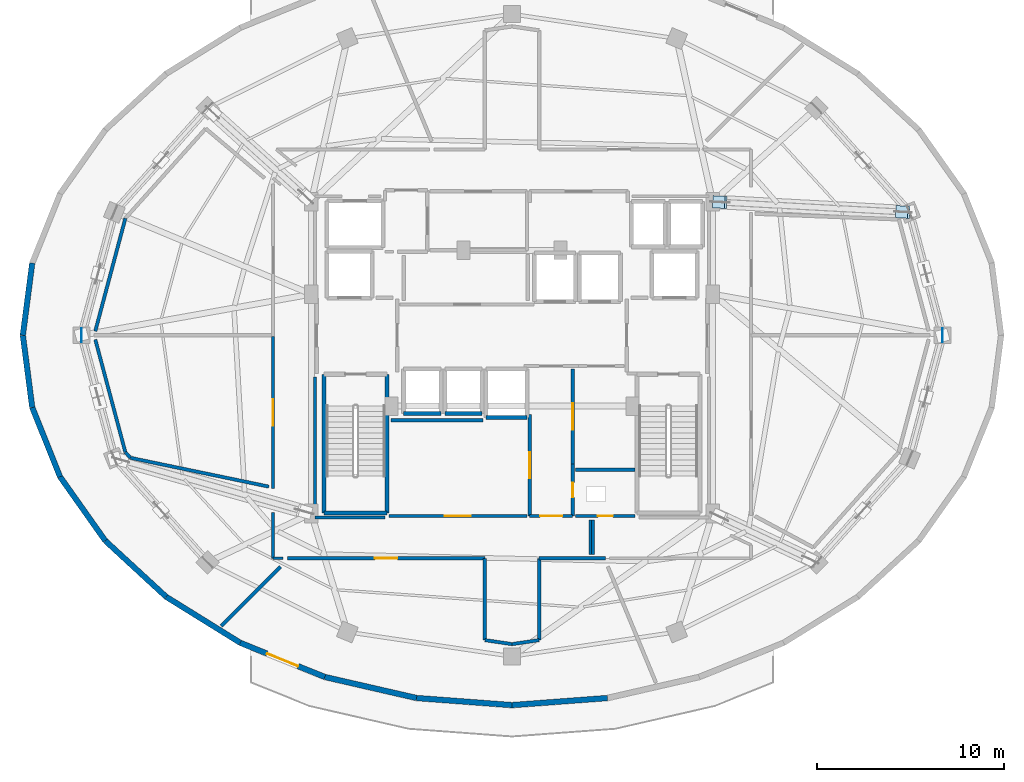
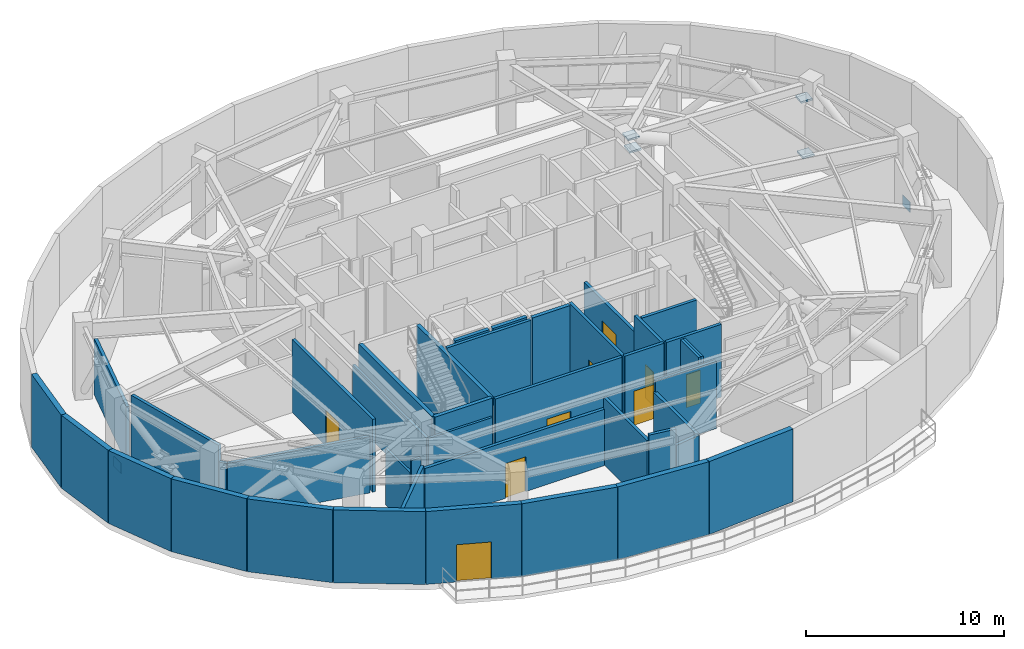
# One storey, part 6 of 10: 42 walls, 9 doors, 6 plates, 9 openings.
"""IFC4 building model written with IfcOpenShell, lengths in metres."""

from ifc_helpers import new_model, si_unit, direction, frame, frame_2d, origin, origin_2d, place, context, subcontext, project, spatial, rectangle, extrude, material, layer, layer_set, type_object, element, fill, save


model = new_model("IFC4")

# Units and contexts
model_context = context("Model", 3, precision=1e-05, world=origin(), true_north=direction((0.0, 1.0)))
body_context = subcontext(model_context, "Body", "Model", "MODEL_VIEW")
ifc_project = project(units=[si_unit("LENGTHUNIT", "METRE"), si_unit("AREAUNIT", "SQUARE_METRE"), si_unit("VOLUMEUNIT", "CUBIC_METRE"), si_unit("PLANEANGLEUNIT", "RADIAN"), si_unit("MASSUNIT", "GRAM", prefix="KILO")], contexts=[model_context])

# Site, building, storey
site_placement = place(None, origin())
site = spatial("IfcSite", under=ifc_project, at=site_placement, CompositionType="ELEMENT")
building_placement = place(site_placement, origin())
building = spatial("IfcBuilding", under=site, at=building_placement, Name="Vorneva Point Tower", CompositionType="ELEMENT")
storey_placement = place(building_placement, frame((0.0, 0.0, 224.949951171875)))
storey = spatial("IfcBuildingStorey", under=building, at=storey_placement, Name="L61", CompositionType="ELEMENT", Elevation=224.949951171875)

# Plates
ifc_material_1 = material(Name="Steel S355", Category="steel")
ifc_layer_1 = layer(ifc_material_1, 0.028076171875)
ifc_layer_set_1 = layer_set([ifc_layer_1], Name="Steel S355")
plate_type_1 = type_object("IfcPlateType", Name="PLT-CAP-INT", PredefinedType="USERDEFINED", material=ifc_layer_set_1)
for number, where, z_axis, x_axis, name in (
    (1, (49.072021484375, 33.1328125, 4.3056640625), (0.0, 0.0, 1.0), (0.99855361041, -0.053765110774, 0.0), "L61 Core Outrigger Diagonal 02A end closure plate 1"),
    (2, (58.973388671875, 32.599609375, 0.05224609375), (0.0, 0.0, 1.0), (0.99855361041, -0.053765110774, 0.0), "L61 Core Outrigger Diagonal 02A end closure plate 2"),
    (3, (49.169189453125, 33.12744140625, 3.51416015625), (0.0, 0.0, 1.0), (0.99855361041, -0.053765110774, 0.0), "L61 Core Outrigger Collector Strut 02B end closure plate 1"),
    (4, (58.876220703125, 32.604736328125, 3.51416015625), (0.0, 0.0, 1.0), (0.99855361041, -0.053765110774, 0.0), "L61 Core Outrigger Collector Strut 02B end closure plate 2"),
):
    element("IfcPlate", number, at=place(storey_placement, frame(where, z_axis=z_axis, x_axis=x_axis)), inside=storey, type_object=plate_type_1, Name=name, ObjectType="BASE PLATE", PredefinedType="USERDEFINED", context=body_context, shape_type="SweptSolid", body=[
        extrude(rectangle(XDim=0.64990234375, YDim=0.64990234375, at=origin_2d()), origin(), (0.0, 0.0, 1.0), 0.112060546875),
    ])
ifc_material_2 = material(Name="Steel S460", Category="steel")
ifc_layer_2 = layer(ifc_material_2, 0.031982421875)
ifc_layer_set_2 = layer_set([ifc_layer_2], Name="Steel S460")
plate_type_2 = type_object("IfcPlateType", Name="PLT-GUS-32", PredefinedType="USERDEFINED", material=ifc_layer_set_2)
for number, where, z_axis, x_axis, name in (
    (5, (61.050048828125, 26.0, -0.054931640625), (0.0, 0.0, 1.0), (0.0, 1.0, 0.0), "L61 Belt-Truss Column Base Gusset Plate 01"),
    (6, (14.949951171875, 26.0, -0.054931640625), (0.0, 0.0, 1.0), (0.0, -1.0, 0.0), "L61 Belt-Truss Column Base Gusset Plate 09"),
):
    element("IfcPlate", number, at=place(storey_placement, frame(where, z_axis=z_axis, x_axis=x_axis)), inside=storey, type_object=plate_type_2, Name=name, ObjectType="GUSSET PLATE", PredefinedType="USERDEFINED", context=body_context, shape_type="SweptSolid", body=[
        extrude(rectangle(XDim=0.75, YDim=0.031982421875, at=origin_2d()), origin(), (0.0, 0.0, 1.0), 0.64990234375),
    ])

# Walls
ifc_material_3 = material(Name="Precast concrete B50 (C40/50)", Category="concrete")
ifc_layer_3 = layer(ifc_material_3, 0.300048828125)
ifc_layer_set_3 = layer_set([ifc_layer_3], Name="Precast concrete B50 (C40/50)")
wall_type_1 = type_object("IfcWallType", Name="WL-EXT-300", PredefinedType="STANDARD", material=ifc_layer_set_3)
for number, where, z_axis, x_axis, name in (
    (7, (12.303466796875, 29.86474609375, 0.0), (0.0, 0.0, 1.0), (-0.129167789917, -0.991622751881, 0.0), "L61 Pale-Metal Facade Spandrel Wall 08.2"),
    (8, (11.800048828125, 26.0, 0.0), (0.0, 0.0, 1.0), (0.129167789917, -0.991622751881, 0.0), "L61 Pale-Metal Facade Spandrel Wall 09.1"),
):
    element("IfcWall", number, at=place(storey_placement, frame(where, z_axis=z_axis, x_axis=x_axis)), inside=storey, type_object=wall_type_1, Name=name, PredefinedType="STANDARD", context=body_context, shape_type="SweptSolid", body=[
        extrude(rectangle(XDim=3.8974609375, YDim=0.300048828125, at=frame_2d((1.94873046875, 0.0))), origin(), (0.0, 0.0, 1.0), 4.5),
    ])
wall_1_placement = place(storey_placement, frame((12.303466796875, 22.13525390625, 0.0), z_axis=(0.0, 0.0, 1.0), x_axis=(0.37234708598, -0.928093555393, 0.0)))
element("IfcWall", 9, at=wall_1_placement, inside=storey, type_object=wall_type_1, Name="L61 Pale-Metal Facade Spandrel Wall 09.2", PredefinedType="STANDARD", context=body_context, shape_type="SweptSolid", body=[
    extrude(rectangle(XDim=4.004150390625, YDim=0.300048828125, at=frame_2d((2.001953125, 0.0))), origin(), (0.0, 0.0, 1.0), 4.5),
])
wall_2_placement = place(storey_placement, frame((13.79443359375, 18.4189453125, 0.0), z_axis=(0.0, 0.0, 1.0), x_axis=(0.577261247247, -0.816559521668, 0.0)))
element("IfcWall", 10, at=wall_2_placement, inside=storey, type_object=wall_type_1, Name="L61 Pale-Metal Facade Spandrel Wall 10.1", PredefinedType="STANDARD", context=body_context, shape_type="SweptSolid", body=[
    extrude(rectangle(XDim=4.194091796875, YDim=0.300048828125, at=frame_2d((2.09716796875, 0.0))), origin(), (0.0, 0.0, 1.0), 4.5),
])
wall_3_placement = place(storey_placement, frame((16.215576171875, 14.994140625, 0.0), z_axis=(0.0, 0.0, 1.0), x_axis=(0.735445373611, -0.677584018727, 0.0)))
element("IfcWall", 11, at=wall_3_placement, inside=storey, type_object=wall_type_1, Name="L61 Pale-Metal Facade Spandrel Wall 10.2", PredefinedType="STANDARD", context=body_context, shape_type="SweptSolid", body=[
    extrude(rectangle(XDim=4.430419921875, YDim=0.300048828125, at=frame_2d((2.21533203125, 0.0))), origin(), (0.0, 0.0, 1.0), 4.5),
])
wall_4_placement = place(storey_placement, frame((19.473876953125, 11.9921875, 0.0), z_axis=(0.0, 0.0, 1.0), x_axis=(0.849702323036, -0.527262707032, 0.0)))
element("IfcWall", 12, at=wall_4_placement, inside=storey, type_object=wall_type_1, Name="L61 Pale-Metal Facade Spandrel Wall 11.1", PredefinedType="STANDARD", context=body_context, shape_type="SweptSolid", body=[
    extrude(rectangle(XDim=4.67236328125, YDim=0.300048828125, at=frame_2d((2.336181640625, 0.0))), origin(), (0.0, 0.0, 1.0), 4.5),
])

# Wall, opening, door
wall_5_placement = place(storey_placement, frame((23.444091796875, 9.528564453125, 0.0), z_axis=(0.0, 0.0, 1.0), x_axis=(0.927147375511, -0.374696869594, 0.0)))
wall_5 = element("IfcWall", 13, at=wall_5_placement, inside=storey, type_object=wall_type_1, Name="L61 Pale-Metal Facade Spandrel Wall 11.2", PredefinedType="STANDARD", context=body_context, shape_type="SweptSolid", body=[
    extrude(rectangle(XDim=4.885498046875, YDim=0.300048828125, at=frame_2d((2.44287109375, 0.0))), origin(), (0.0, 0.0, 1.0), 4.5),
])
opening_1_placement = place(wall_5_placement, frame((1.542724609375, 0.0, 0.0)))
opening_1 = element("IfcOpeningElement", 14, at=opening_1_placement, cuts=wall_5, Name="Opening BD-02", PredefinedType="OPENING", context=body_context, shape_type="SweptSolid", body=[
    extrude(rectangle(XDim=1.800048828125, YDim=2.300048828125, at=frame_2d((0.89990234375, 1.14990234375))), frame((0.0, 0.1650390625, 0.0), z_axis=(0.0, -1.0, 0.0), x_axis=(1.0, 0.0, 0.0)), (0.0, 0.0, 1.0), 0.329833984375),
])
ifc_material_4 = material(Name="Pale anodised aluminium", Category="aluminium")
door_type_1 = type_object("IfcDoorType", Name="DR-TER-1800", OperationType="DOUBLE_SWING_LEFT", PredefinedType="DOOR", material=ifc_material_4)
door_1_placement = place(opening_1_placement, origin())
door_1 = element("IfcDoor", 15, at=door_1_placement, inside=storey, type_object=door_type_1, Name="L61 Balcony Terrace Access Door 11", OperationType="DOUBLE_SWING_LEFT", OverallHeight=2.300048828125, OverallWidth=1.800048828125, PredefinedType="DOOR", context=body_context, shape_type="SweptSolid", body=[
    extrude(rectangle(XDim=1.800048828125, YDim=2.300048828125, at=frame_2d((0.89990234375, 1.14990234375))), frame((0.0, 0.02490234375, 0.0), z_axis=(0.0, -1.0, 0.0), x_axis=(1.0, 0.0, 0.0)), (0.0, 0.0, 1.0), 0.050048828125),
])
fill(opening_1, door_1)

# Walls
wall_6_placement = place(storey_placement, frame((27.9736328125, 7.697998046875, 0.0), z_axis=(0.0, 0.0, 1.0), x_axis=(0.974685739337, -0.223579313742, 0.0)))
element("IfcWall", 16, at=wall_6_placement, inside=storey, type_object=wall_type_1, Name="L61 Pale-Metal Facade Spandrel Wall 12.1", PredefinedType="STANDARD", context=body_context, shape_type="SweptSolid", body=[
    extrude(rectangle(XDim=5.042724609375, YDim=0.300048828125, at=frame_2d((2.521484375, 0.0))), origin(), (0.0, 0.0, 1.0), 4.5),
])
for number, where, z_axis, x_axis, name in (
    (17, (32.888671875, 6.570556640625, 0.0), (0.0, 0.0, 1.0), (0.997238956469, -0.074259435094, 0.0), "L61 Pale-Metal Facade Spandrel Wall 12.2"),
    (18, (38.0, 6.18994140625, 0.0), (0.0, 0.0, 1.0), (0.997238956469, 0.074259435094, 0.0), "L61 Pale-Metal Facade Spandrel Wall 13.1"),
):
    element("IfcWall", number, at=place(storey_placement, frame(where, z_axis=z_axis, x_axis=x_axis)), inside=storey, type_object=wall_type_1, Name=name, PredefinedType="STANDARD", context=body_context, shape_type="SweptSolid", body=[
        extrude(rectangle(XDim=5.12548828125, YDim=0.300048828125, at=frame_2d((2.562744140625, 0.0))), origin(), (0.0, 0.0, 1.0), 4.5),
    ])
ifc_material_5 = material(Name="Fire-rated acoustic gypsum stud partition", Category="gypsum")
ifc_layer_4 = layer(ifc_material_5, 0.139892578125)
ifc_layer_set_4 = layer_set([ifc_layer_4], Name="Fire-rated acoustic gypsum stud partition")
wall_type_2 = type_object("IfcWallType", Name="WL-PART-140", PredefinedType="PARTITIONING", material=ifc_layer_set_4)
wall_7_placement = place(storey_placement, frame((25.199951171875, 16.511962890625, 0.0), z_axis=(0.0, 0.0, 1.0), x_axis=(0.0, -1.0, 0.0)))
element("IfcWall", 19, at=wall_7_placement, inside=storey, type_object=wall_type_2, Name="L61 Interior Closure Partition 058", PredefinedType="PARTITIONING", context=body_context, shape_type="SweptSolid", body=[
    extrude(rectangle(XDim=2.4619140625, YDim=0.139892578125, at=frame_2d((1.23095703125, 0.0))), origin(), (0.0, 0.0, 1.0), 3.48193359375),
])
wall_8_placement = place(storey_placement, frame((25.199951171875, 14.050048828125, 0.0), z_axis=(0.0, 0.0, 1.0), x_axis=(1.0, 0.0, 0.0)))
element("IfcWall", 20, at=wall_8_placement, inside=storey, type_object=wall_type_2, Name="L61 Interior Closure Partition 059", PredefinedType="PARTITIONING", context=body_context, shape_type="SweptSolid", body=[
    extrude(rectangle(XDim=0.545166015625, YDim=0.139892578125, at=frame_2d((0.2724609375, 0.0))), origin(), (0.0, 0.0, 1.0), 4.23193359375),
])
wall_9_placement = place(storey_placement, frame((27.449951171875, 23.75390625, 0.0), z_axis=(0.0, 0.0, 1.0), x_axis=(0.0, -1.0, 0.0)))
element("IfcWall", 21, at=wall_9_placement, inside=storey, type_object=wall_type_2, Name="L61 Interior Closure Partition 063", PredefinedType="PARTITIONING", context=body_context, shape_type="SweptSolid", body=[
    extrude(rectangle(XDim=7.513916015625, YDim=0.139892578125, at=frame_2d((3.7568359375, 0.0))), origin(), (0.0, 0.0, 1.0), 3.48193359375),
])
wall_10_placement = place(storey_placement, frame((27.449951171875, 16.239990234375, 0.0), z_axis=(0.0, 0.0, 1.0), x_axis=(1.0, 0.0, 0.0)))
element("IfcWall", 22, at=wall_10_placement, inside=storey, type_object=wall_type_2, Name="L61 Interior Closure Partition 064", PredefinedType="PARTITIONING", context=body_context, shape_type="SweptSolid", body=[
    extrude(rectangle(XDim=3.7451171875, YDim=0.139892578125, at=frame_2d((1.87255859375, 0.0))), origin(), (0.0, 0.0, 1.0), 3.48193359375),
])
for number, where, z_axis, x_axis, name in (
    (23, (42.199951171875, 16.10009765625, 0.0), (0.0, 0.0, 1.0), (0.0, -1.0, 0.0), "L61 Interior Closure Partition 065"),
    (24, (42.340087890625, 14.27001953125, 0.0), (0.0, 0.0, 1.0), (0.0, 1.0, 0.0), "L61 Interior Closure Partition 066"),
):
    element("IfcWall", number, at=place(storey_placement, frame(where, z_axis=z_axis, x_axis=x_axis)), inside=storey, type_object=wall_type_2, Name=name, PredefinedType="PARTITIONING", context=body_context, shape_type="SweptSolid", body=[
        extrude(rectangle(XDim=1.830078125, YDim=0.139892578125, at=frame_2d((0.9150390625, 0.0))), origin(), (0.0, 0.0, 1.0), 4.5),
    ])

# Wall, opening, door
ifc_material_6 = material(Name="Autoclaved aerated concrete blockwork", Category="masonry")
ifc_layer_5 = layer(ifc_material_6, 0.179931640625)
ifc_layer_set_5 = layer_set([ifc_layer_5], Name="Autoclaved aerated concrete blockwork")
wall_type_3 = type_object("IfcWallType", Name="WL-PART-180", PredefinedType="PARTITIONING", material=ifc_layer_set_5)
wall_11_placement = place(storey_placement, frame((38.949951171875, 21.7548828125, 0.0), z_axis=(0.0, 0.0, 1.0), x_axis=(0.0, -1.0, 0.0)))
wall_11 = element("IfcWall", 25, at=wall_11_placement, inside=storey, type_object=wall_type_3, Name="L61 Interior Partition 013", PredefinedType="PARTITIONING", context=body_context, shape_type="SweptSolid", body=[
    extrude(rectangle(XDim=5.434814453125, YDim=0.179931640625, at=frame_2d((2.71728515625, 0.0))), origin(), (0.0, 0.0, 1.0), 4.5),
])
opening_2_placement = place(wall_11_placement, frame((2.017578125, 0.0, 0.0)))
opening_2 = element("IfcOpeningElement", 26, at=opening_2_placement, cuts=wall_11, Name="Opening FD-03", PredefinedType="OPENING", context=body_context, shape_type="SweptSolid", body=[
    extrude(rectangle(XDim=1.39990234375, YDim=2.199951171875, at=frame_2d((0.699951171875, 1.10009765625))), frame((0.0, 0.10498046875, 0.0), z_axis=(0.0, -1.0, 0.0), x_axis=(1.0, 0.0, 0.0)), (0.0, 0.0, 1.0), 0.209716796875),
])
ifc_material_7 = material(Name="Fire-rated powder-coated steel", Category="steel")
door_type_2 = type_object("IfcDoorType", Name="DR-PLT-1400", OperationType="DOUBLE_SWING_LEFT", PredefinedType="DOOR", material=ifc_material_7)
door_2_placement = place(opening_2_placement, origin())
door_2 = element("IfcDoor", 27, at=door_2_placement, inside=storey, type_object=door_type_2, Name="L61 Door Core Service Lobby / Core Hydraulic Pump Plant L61", OperationType="DOUBLE_SWING_LEFT", OverallHeight=2.199951171875, OverallWidth=1.39990234375, PredefinedType="DOOR", context=body_context, shape_type="SweptSolid", body=[
    extrude(rectangle(XDim=1.39990234375, YDim=2.199951171875, at=frame_2d((0.699951171875, 1.10009765625))), frame((0.0, 0.02490234375, 0.0), z_axis=(0.0, -1.0, 0.0), x_axis=(1.0, 0.0, 0.0)), (0.0, 0.0, 1.0), 0.050048828125),
])
fill(opening_2, door_2)

wall_12_placement = place(storey_placement, frame((41.25, 16.320068359375, 0.0), z_axis=(0.0, 0.0, 1.0), x_axis=(0.0, 1.0, 0.0)))
wall_12 = element("IfcWall", 28, at=wall_12_placement, inside=storey, type_object=wall_type_3, Name="L61 Interior Partition 014", PredefinedType="PARTITIONING", context=body_context, shape_type="SweptSolid", body=[
    extrude(rectangle(XDim=2.784912109375, YDim=0.179931640625, at=frame_2d((1.392578125, 0.0))), origin(), (0.0, 0.0, 1.0), 4.5),
])
opening_3_placement = place(wall_12_placement, frame((0.992431640625, 0.0, 0.0)))
opening_3 = element("IfcOpeningElement", 29, at=opening_3_placement, cuts=wall_12, Name="Opening RD-01", PredefinedType="OPENING", context=body_context, shape_type="SweptSolid", body=[
    extrude(rectangle(XDim=0.800048828125, YDim=2.050048828125, at=frame_2d((0.39990234375, 1.02490234375))), frame((0.0, 0.10498046875, 0.0), z_axis=(0.0, -1.0, 0.0), x_axis=(1.0, 0.0, 0.0)), (0.0, 0.0, 1.0), 0.209716796875),
])
door_type_3 = type_object("IfcDoorType", Name="DR-RSR-800", OperationType="SINGLE_SWING_LEFT", PredefinedType="DOOR", material=ifc_material_7)
door_3_placement = place(opening_3_placement, origin())
door_3 = element("IfcDoor", 30, at=door_3_placement, inside=storey, type_object=door_type_3, Name="L61 Door Core Service Lobby / Electrical Riser", OperationType="SINGLE_SWING_LEFT", OverallHeight=2.050048828125, OverallWidth=0.800048828125, PredefinedType="DOOR", context=body_context, shape_type="SweptSolid", body=[
    extrude(rectangle(XDim=0.800048828125, YDim=2.050048828125, at=frame_2d((0.39990234375, 1.02490234375))), frame((0.0, 0.02490234375, 0.0), z_axis=(0.0, -1.0, 0.0), x_axis=(1.0, 0.0, 0.0)), (0.0, 0.0, 1.0), 0.050048828125),
])
fill(opening_3, door_3)

wall_13_placement = place(storey_placement, frame((41.25, 19.10498046875, 0.0), z_axis=(0.0, 0.0, 1.0), x_axis=(0.0, 1.0, 0.0)))
wall_13 = element("IfcWall", 31, at=wall_13_placement, inside=storey, type_object=wall_type_3, Name="L61 Interior Partition 015", PredefinedType="PARTITIONING", context=body_context, shape_type="SweptSolid", body=[
    extrude(rectangle(XDim=5.094970703125, YDim=0.179931640625, at=frame_2d((2.54736328125, 0.0))), origin(), (0.0, 0.0, 1.0), 3.48193359375),
])
opening_4_placement = place(wall_13_placement, frame((1.847412109375, 0.0, 0.0)))
opening_4 = element("IfcOpeningElement", 32, at=opening_4_placement, cuts=wall_13, Name="Opening FD-03", PredefinedType="OPENING", context=body_context, shape_type="SweptSolid", body=[
    extrude(rectangle(XDim=1.39990234375, YDim=2.199951171875, at=frame_2d((0.699951171875, 1.10009765625))), frame((0.0, 0.10498046875, 0.0), z_axis=(0.0, -1.0, 0.0), x_axis=(1.0, 0.0, 0.0)), (0.0, 0.0, 1.0), 0.209716796875),
])
door_4_placement = place(opening_4_placement, origin())
door_4 = element("IfcDoor", 33, at=door_4_placement, inside=storey, type_object=door_type_2, Name="L61 Door Core Service Lobby / Core BMS Control Plant L61", OperationType="DOUBLE_SWING_LEFT", OverallHeight=2.199951171875, OverallWidth=1.39990234375, PredefinedType="DOOR", context=body_context, shape_type="SweptSolid", body=[
    extrude(rectangle(XDim=1.39990234375, YDim=2.199951171875, at=frame_2d((0.699951171875, 1.10009765625))), frame((0.0, 0.02490234375, 0.0), z_axis=(0.0, -1.0, 0.0), x_axis=(1.0, 0.0, 0.0)), (0.0, 0.0, 1.0), 0.050048828125),
])
fill(opening_4, door_4)

wall_14_placement = place(storey_placement, frame((38.949951171875, 16.320068359375, 0.0), z_axis=(0.0, 0.0, 1.0), x_axis=(1.0, 0.0, 0.0)))
wall_14 = element("IfcWall", 34, at=wall_14_placement, inside=storey, type_object=wall_type_3, Name="L61 Interior Partition 016", PredefinedType="PARTITIONING", context=body_context, shape_type="SweptSolid", body=[
    extrude(rectangle(XDim=2.300048828125, YDim=0.179931640625, at=frame_2d((1.14990234375, 0.0))), origin(), (0.0, 0.0, 1.0), 4.5),
])
opening_5_placement = place(wall_14_placement, frame((0.550048828125, 0.0, 0.0)))
opening_5 = element("IfcOpeningElement", 35, at=opening_5_placement, cuts=wall_14, Name="Opening FD-02", PredefinedType="OPENING", context=body_context, shape_type="SweptSolid", body=[
    extrude(rectangle(XDim=1.199951171875, YDim=2.14990234375, at=frame_2d((0.60009765625, 1.074951171875))), frame((0.0, 0.10498046875, 0.0), z_axis=(0.0, -1.0, 0.0), x_axis=(1.0, 0.0, 0.0)), (0.0, 0.0, 1.0), 0.209716796875),
])
door_type_4 = type_object("IfcDoorType", Name="DR-FFL-1200", OperationType="NOTDEFINED", PredefinedType="DOOR", material=ifc_material_7)
door_5_placement = place(opening_5_placement, origin())
door_5 = element("IfcDoor", 36, at=door_5_placement, inside=storey, type_object=door_type_4, Name="L61 Door Core Service Lobby / L61 Refuge and Lift Lobby", OperationType="SINGLE_SWING_LEFT", OverallHeight=2.14990234375, OverallWidth=1.199951171875, PredefinedType="DOOR", context=body_context, shape_type="SweptSolid", body=[
    extrude(rectangle(XDim=1.199951171875, YDim=2.14990234375, at=frame_2d((0.60009765625, 1.074951171875))), frame((0.0, 0.02490234375, 0.0), z_axis=(0.0, -1.0, 0.0), x_axis=(1.0, 0.0, 0.0)), (0.0, 0.0, 1.0), 0.050048828125),
])
fill(opening_5, door_5)

wall_15_placement = place(storey_placement, frame((31.39990234375, 16.320068359375, 0.0), z_axis=(0.0, 0.0, 1.0), x_axis=(1.0, 0.0, 0.0)))
wall_15 = element("IfcWall", 37, at=wall_15_placement, inside=storey, type_object=wall_type_3, Name="L61 Interior Partition 023", PredefinedType="PARTITIONING", context=body_context, shape_type="SweptSolid", body=[
    extrude(rectangle(XDim=7.400146484375, YDim=0.179931640625, at=frame_2d((3.7001953125, 0.0))), origin(), (0.0, 0.0, 1.0), 4.5),
])
opening_6_placement = place(wall_15_placement, frame((3.0, 0.0, 0.0)))
opening_6 = element("IfcOpeningElement", 38, at=opening_6_placement, cuts=wall_15, Name="Opening FD-03", PredefinedType="OPENING", context=body_context, shape_type="SweptSolid", body=[
    extrude(rectangle(XDim=1.39990234375, YDim=2.199951171875, at=frame_2d((0.699951171875, 1.10009765625))), frame((0.0, 0.10498046875, 0.0), z_axis=(0.0, -1.0, 0.0), x_axis=(1.0, 0.0, 0.0)), (0.0, 0.0, 1.0), 0.209716796875),
])
door_6_placement = place(opening_6_placement, origin())
door_6 = element("IfcDoor", 39, at=door_6_placement, inside=storey, type_object=door_type_2, Name="L61 Door Core Hydraulic Pump Plant L61 / L61 Refuge and Lift Lobby", OperationType="DOUBLE_SWING_LEFT", OverallHeight=2.199951171875, OverallWidth=1.39990234375, PredefinedType="DOOR", context=body_context, shape_type="SweptSolid", body=[
    extrude(rectangle(XDim=1.39990234375, YDim=2.199951171875, at=frame_2d((0.699951171875, 1.10009765625))), frame((0.0, 0.02490234375, 0.0), z_axis=(0.0, -1.0, 0.0), x_axis=(1.0, 0.0, 0.0)), (0.0, 0.0, 1.0), 0.050048828125),
])
fill(opening_6, door_6)

# Wall
wall_16_placement = place(storey_placement, frame((44.60009765625, 18.800048828125, 0.0), z_axis=(0.0, 0.0, 1.0), x_axis=(-1.0, 0.0, 0.0)))
element("IfcWall", 40, at=wall_16_placement, inside=storey, type_object=wall_type_3, Name="L61 Interior Partition 024", PredefinedType="PARTITIONING", context=body_context, shape_type="SweptSolid", body=[
    extrude(rectangle(XDim=3.2001953125, YDim=0.179931640625, at=frame_2d((1.60009765625, 0.0))), origin(), (0.0, 0.0, 1.0), 4.5),
])

# Wall, opening, door
wall_17_placement = place(storey_placement, frame((41.39990234375, 16.320068359375, 0.0), z_axis=(0.0, 0.0, 1.0), x_axis=(1.0, 0.0, 0.0)))
wall_17 = element("IfcWall", 41, at=wall_17_placement, inside=storey, type_object=wall_type_3, Name="L61 Interior Partition 025", PredefinedType="PARTITIONING", context=body_context, shape_type="SweptSolid", body=[
    extrude(rectangle(XDim=3.2001953125, YDim=0.179931640625, at=frame_2d((1.60009765625, 0.0))), origin(), (0.0, 0.0, 1.0), 4.5),
])
opening_7_placement = place(wall_17_placement, frame((1.199951171875, 0.0, 0.0)))
opening_7 = element("IfcOpeningElement", 42, at=opening_7_placement, cuts=wall_17, Name="Opening RD-01", PredefinedType="OPENING", context=body_context, shape_type="SweptSolid", body=[
    extrude(rectangle(XDim=0.800048828125, YDim=2.050048828125, at=frame_2d((0.39990234375, 1.02490234375))), frame((0.0, 0.10498046875, 0.0), z_axis=(0.0, -1.0, 0.0), x_axis=(1.0, 0.0, 0.0)), (0.0, 0.0, 1.0), 0.209716796875),
])
door_7_placement = place(opening_7_placement, origin())
door_7 = element("IfcDoor", 43, at=door_7_placement, inside=storey, type_object=door_type_3, Name="L61 Door Electrical Riser / L61 Refuge and Lift Lobby", OperationType="SINGLE_SWING_LEFT", OverallHeight=2.050048828125, OverallWidth=0.800048828125, PredefinedType="DOOR", context=body_context, shape_type="SweptSolid", body=[
    extrude(rectangle(XDim=0.800048828125, YDim=2.050048828125, at=frame_2d((0.39990234375, 1.02490234375))), frame((0.0, 0.02490234375, 0.0), z_axis=(0.0, -1.0, 0.0), x_axis=(1.0, 0.0, 0.0)), (0.0, 0.0, 1.0), 0.050048828125),
])
fill(opening_7, door_7)

wall_18_placement = place(storey_placement, frame((25.199951171875, 25.93994140625, 0.0), z_axis=(0.0, 0.0, 1.0), x_axis=(0.0, -1.0, 0.0)))
wall_18 = element("IfcWall", 44, at=wall_18_placement, inside=storey, type_object=wall_type_3, Name="L61 Interior Partition 033", PredefinedType="PARTITIONING", context=body_context, shape_type="SweptSolid", body=[
    extrude(rectangle(XDim=8.154052734375, YDim=0.179931640625, at=frame_2d((4.0771484375, 0.0))), origin(), (0.0, 0.0, 1.0), 4.5),
])
opening_8_placement = place(wall_18_placement, frame((3.376953125, 0.0, 0.0)))
opening_8 = element("IfcOpeningElement", 45, at=opening_8_placement, cuts=wall_18, Name="Opening FD-03", PredefinedType="OPENING", context=body_context, shape_type="SweptSolid", body=[
    extrude(rectangle(XDim=1.39990234375, YDim=2.199951171875, at=frame_2d((0.699951171875, 1.10009765625))), frame((0.0, 0.10498046875, 0.0), z_axis=(0.0, -1.0, 0.0), x_axis=(1.0, 0.0, 0.0)), (0.0, 0.0, 1.0), 0.209716796875),
])
door_8_placement = place(opening_8_placement, origin())
door_8 = element("IfcDoor", 46, at=door_8_placement, inside=storey, type_object=door_type_2, Name="L61 Door L61 Refuge and Lift Lobby / Domestic Pump and Water Tank Room L61", OperationType="DOUBLE_SWING_LEFT", OverallHeight=2.199951171875, OverallWidth=1.39990234375, PredefinedType="DOOR", context=body_context, shape_type="SweptSolid", body=[
    extrude(rectangle(XDim=1.39990234375, YDim=2.199951171875, at=frame_2d((0.699951171875, 1.10009765625))), frame((0.0, 0.02490234375, 0.0), z_axis=(0.0, -1.0, 0.0), x_axis=(1.0, 0.0, 0.0)), (0.0, 0.0, 1.0), 0.050048828125),
])
fill(opening_8, door_8)

# Walls
wall_19_placement = place(storey_placement, frame((39.449951171875, 9.672119140625, 0.0), z_axis=(0.0, 0.0, 1.0), x_axis=(0.0, 1.0, 0.0)))
element("IfcWall", 47, at=wall_19_placement, inside=storey, type_object=wall_type_3, Name="L61 Interior Partition 034", PredefinedType="PARTITIONING", context=body_context, shape_type="SweptSolid", body=[
    extrude(rectangle(XDim=4.3779296875, YDim=0.179931640625, at=frame_2d((2.18896484375, 0.0))), origin(), (0.0, 0.0, 1.0), 3.48193359375),
])
wall_20_placement = place(storey_placement, frame((39.449951171875, 14.050048828125, 0.0), z_axis=(0.0, 0.0, 1.0), x_axis=(1.0, 0.0, 0.0)))
element("IfcWall", 48, at=wall_20_placement, inside=storey, type_object=wall_type_3, Name="L61 Interior Partition 035", PredefinedType="PARTITIONING", context=body_context, shape_type="SweptSolid", body=[
    extrude(rectangle(XDim=3.56494140625, YDim=0.179931640625, at=frame_2d((1.782470703125, 0.0))), origin(), (0.0, 0.0, 1.0), 4.14599609375),
])

# Wall, opening, door
wall_21_placement = place(storey_placement, frame((25.965087890625, 14.050048828125, 0.0), z_axis=(0.0, 0.0, 1.0), x_axis=(1.0, 0.0, 0.0)))
wall_21 = element("IfcWall", 49, at=wall_21_placement, inside=storey, type_object=wall_type_3, Name="L61 Interior Partition 036", PredefinedType="PARTITIONING", context=body_context, shape_type="SweptSolid", body=[
    extrude(rectangle(XDim=10.5849609375, YDim=0.179931640625, at=frame_2d((5.29248046875, 0.0))), origin(), (0.0, 0.0, 1.0), 3.48193359375),
])
opening_9_placement = place(wall_21_placement, frame((4.6923828125, 0.0, 0.0)))
opening_9 = element("IfcOpeningElement", 50, at=opening_9_placement, cuts=wall_21, Name="Opening FD-02", PredefinedType="OPENING", context=body_context, shape_type="SweptSolid", body=[
    extrude(rectangle(XDim=1.199951171875, YDim=2.14990234375, at=frame_2d((0.60009765625, 1.074951171875))), frame((0.0, 0.10498046875, 0.0), z_axis=(0.0, -1.0, 0.0), x_axis=(1.0, 0.0, 0.0)), (0.0, 0.0, 1.0), 0.209716796875),
])
door_9_placement = place(opening_9_placement, origin())
door_9 = element("IfcDoor", 51, at=door_9_placement, inside=storey, type_object=door_type_4, Name="L61 Door L61 Refuge and Lift Lobby / Refuge Area South L61", OperationType="SINGLE_SWING_LEFT", OverallHeight=2.14990234375, OverallWidth=1.199951171875, PredefinedType="DOOR", context=body_context, shape_type="SweptSolid", body=[
    extrude(rectangle(XDim=1.199951171875, YDim=2.14990234375, at=frame_2d((0.60009765625, 1.074951171875))), frame((0.0, 0.02490234375, 0.0), z_axis=(0.0, -1.0, 0.0), x_axis=(1.0, 0.0, 0.0)), (0.0, 0.0, 1.0), 0.050048828125),
])
fill(opening_9, door_9)

# Walls
wall_22_placement = place(storey_placement, frame((36.550048828125, 14.050048828125, 0.0), z_axis=(0.0, 0.0, 1.0), x_axis=(0.0, -1.0, 0.0)))
element("IfcWall", 52, at=wall_22_placement, inside=storey, type_object=wall_type_3, Name="L61 Interior Partition 037", PredefinedType="PARTITIONING", context=body_context, shape_type="SweptSolid", body=[
    extrude(rectangle(XDim=4.3779296875, YDim=0.179931640625, at=frame_2d((2.18896484375, 0.0))), origin(), (0.0, 0.0, 1.0), 4.14599609375),
])
wall_23_placement = place(storey_placement, frame((36.550048828125, 9.672119140625, 0.0), z_axis=(0.0, 0.0, 1.0), x_axis=(0.989175722593, -0.146735782388, 0.0)))
element("IfcWall", 53, at=wall_23_placement, inside=storey, type_object=wall_type_3, Name="L61 Interior Partition 038", PredefinedType="PARTITIONING", context=body_context, shape_type="SweptSolid", body=[
    extrude(rectangle(XDim=1.4658203125, YDim=0.179931640625, at=frame_2d((0.73291015625, 0.0))), origin(), (0.0, 0.0, 1.0), 4.5),
])
wall_24_placement = place(storey_placement, frame((38.0, 9.45703125, 0.0), z_axis=(0.0, 0.0, 1.0), x_axis=(0.989175722593, 0.146735782388, 0.0)))
element("IfcWall", 54, at=wall_24_placement, inside=storey, type_object=wall_type_3, Name="L61 Interior Partition 039", PredefinedType="PARTITIONING", context=body_context, shape_type="SweptSolid", body=[
    extrude(rectangle(XDim=1.4658203125, YDim=0.179931640625, at=frame_2d((0.73291015625, 0.0))), origin(), (0.0, 0.0, 1.0), 3.48193359375),
])
wall_25_placement = place(storey_placement, frame((36.43896484375, 21.449951171875, 0.0), z_axis=(0.0, 0.0, 1.0), x_axis=(-1.0, 0.0, 0.0)))
element("IfcWall", 55, at=wall_25_placement, inside=storey, type_object=wall_type_3, Name="L61 Interior Closure Partition 047", PredefinedType="PARTITIONING", context=body_context, shape_type="SweptSolid", body=[
    extrude(rectangle(XDim=4.908935546875, YDim=0.179931640625, at=frame_2d((2.45458984375, 0.0))), origin(), (0.0, 0.0, 1.0), 4.5),
])
wall_26_placement = place(storey_placement, frame((17.29296875, 32.263916015625, 0.0), z_axis=(0.0, 0.0, 1.0), x_axis=(-0.257567905164, -0.966260200065, 0.0)))
element("IfcWall", 56, at=wall_26_placement, inside=storey, type_object=wall_type_3, Name="L61 Interior Closure Partition 074", PredefinedType="PARTITIONING", context=body_context, shape_type="SweptSolid", body=[
    extrude(rectangle(XDim=6.2548828125, YDim=0.179931640625, at=frame_2d((3.12744140625, 0.0))), origin(), (0.0, 0.0, 1.0), 3.48193359375),
])
wall_27_placement = place(storey_placement, frame((15.68408203125, 25.77001953125, 0.0), z_axis=(0.0, 0.0, 1.0), x_axis=(0.257638317277, -0.966241428149, 0.0)))
element("IfcWall", 57, at=wall_27_placement, inside=storey, type_object=wall_type_3, Name="L61 Interior Closure Partition 076", PredefinedType="PARTITIONING", context=body_context, shape_type="SweptSolid", body=[
    extrude(rectangle(XDim=6.24462890625, YDim=0.179931640625, at=frame_2d((3.122314453125, 0.0))), origin(), (0.0, 0.0, 1.0), 4.5),
])
wall_28_placement = place(storey_placement, frame((17.29296875, 19.736083984375, 0.0), z_axis=(0.0, 0.0, 1.0), x_axis=(0.666530578837, -0.745477690797, 0.0)))
element("IfcWall", 58, at=wall_28_placement, inside=storey, type_object=wall_type_3, Name="L61 Interior Closure Partition 077", PredefinedType="PARTITIONING", context=body_context, shape_type="SweptSolid", body=[
    extrude(rectangle(XDim=0.405029296875, YDim=0.179931640625, at=frame_2d((0.20263671875, 0.0))), origin(), (0.0, 0.0, 1.0), 3.48193359375),
])
wall_29_placement = place(storey_placement, frame((17.56298828125, 19.43408203125, 0.0), z_axis=(0.0, 0.0, 1.0), x_axis=(0.979065059259, -0.203547561365, 0.0)))
element("IfcWall", 59, at=wall_29_placement, inside=storey, type_object=wall_type_3, Name="L61 Interior Closure Partition 078", PredefinedType="PARTITIONING", context=body_context, shape_type="SweptSolid", body=[
    extrude(rectangle(XDim=7.57568359375, YDim=0.179931640625, at=frame_2d((3.787841796875, 0.0))), origin(), (0.0, 0.0, 1.0), 3.48193359375),
])
wall_30_placement = place(storey_placement, frame((25.60009765625, 13.60009765625, 0.0), z_axis=(0.0, 0.0, 1.0), x_axis=(-0.707106781187, -0.707106781187, 0.0)))
element("IfcWall", 60, at=wall_30_placement, inside=storey, type_object=wall_type_3, Name="L61 Interior Closure Partition 079", PredefinedType="PARTITIONING", context=body_context, shape_type="SweptSolid", body=[
    extrude(rectangle(XDim=4.494384765625, YDim=0.179931640625, at=frame_2d((2.2470703125, 0.0))), origin(), (0.0, 0.0, 1.0), 4.033935546875),
])
ifc_material_8 = material(Name="Concrete B50 (C40/50)", Category="concrete")
ifc_layer_6 = layer(ifc_material_8, 0.219970703125)
ifc_layer_set_6 = layer_set([ifc_layer_6], Name="Concrete B50 (C40/50)")
wall_type_4 = type_object("IfcWallType", Name="WL-SHFT-220", PredefinedType="SOLIDWALL", material=ifc_layer_set_6)
wall_31_placement = place(storey_placement, frame((31.31005859375, 23.909912109375, 0.0), z_axis=(0.0, 0.0, 1.0), x_axis=(0.0, -1.0, 0.0)))
element("IfcWall", 61, at=wall_31_placement, inside=storey, type_object=wall_type_4, Name="L61 Exit Stair ST1 Shaft Wall right", PredefinedType="SOLIDWALL", context=body_context, shape_type="SweptSolid", body=[
    extrude(rectangle(XDim=7.419921875, YDim=0.219970703125, at=frame_2d((3.7099609375, 0.0))), origin(), (0.0, 0.0, 1.0), 4.5),
])
wall_32_placement = place(storey_placement, frame((31.31005859375, 16.489990234375, 0.0), z_axis=(0.0, 0.0, 1.0), x_axis=(-1.0, 0.0, 0.0)))
element("IfcWall", 62, at=wall_32_placement, inside=storey, type_object=wall_type_4, Name="L61 Exit Stair ST1 Shaft Wall far", PredefinedType="SOLIDWALL", context=body_context, shape_type="SweptSolid", body=[
    extrude(rectangle(XDim=3.3701171875, YDim=0.219970703125, at=frame_2d((1.68505859375, 0.0))), origin(), (0.0, 0.0, 1.0), 4.5),
])
wall_33_placement = place(storey_placement, frame((27.93994140625, 16.489990234375, 0.0), z_axis=(0.0, 0.0, 1.0), x_axis=(0.0, 1.0, 0.0)))
element("IfcWall", 63, at=wall_33_placement, inside=storey, type_object=wall_type_4, Name="L61 Exit Stair ST1 Shaft Wall left", PredefinedType="SOLIDWALL", context=body_context, shape_type="SweptSolid", body=[
    extrude(rectangle(XDim=7.419921875, YDim=0.219970703125, at=frame_2d((3.7099609375, 0.0))), origin(), (0.0, 0.0, 1.0), 4.5),
])
for number, where, z_axis, x_axis, name in (
    (64, (32.199951171875, 21.800048828125, 0.0), (0.0, 0.0, 1.0), (1.0, 0.0, 0.0), "L61 Lift PL4 Shaft Wall -Y"),
    (65, (34.39990234375, 21.800048828125, 0.0), (0.0, 0.0, 1.0), (1.0, 0.0, 0.0), "L61 Lift PL5 Shaft Wall -Y"),
):
    element("IfcWall", number, at=place(storey_placement, frame(where, z_axis=z_axis, x_axis=x_axis)), inside=storey, type_object=wall_type_4, Name=name, PredefinedType="SOLIDWALL", context=body_context, shape_type="SweptSolid", body=[
        extrude(rectangle(XDim=2.0, YDim=0.219970703125, at=frame_2d((1.0, 0.0))), origin(), (0.0, 0.0, 1.0), 4.5),
    ])
wall_34_placement = place(storey_placement, frame((36.60009765625, 21.60009765625, 0.0), z_axis=(0.0, 0.0, 1.0), x_axis=(1.0, 0.0, 0.0)))
element("IfcWall", 66, at=wall_34_placement, inside=storey, type_object=wall_type_4, Name="L61 Lift PL6 Shaft Wall -Y", PredefinedType="SOLIDWALL", context=body_context, shape_type="SweptSolid", body=[
    extrude(rectangle(XDim=2.199951171875, YDim=0.219970703125, at=frame_2d((1.10009765625, 0.0))), origin(), (0.0, 0.0, 1.0), 4.5),
])

save(model, "model.ifc")
